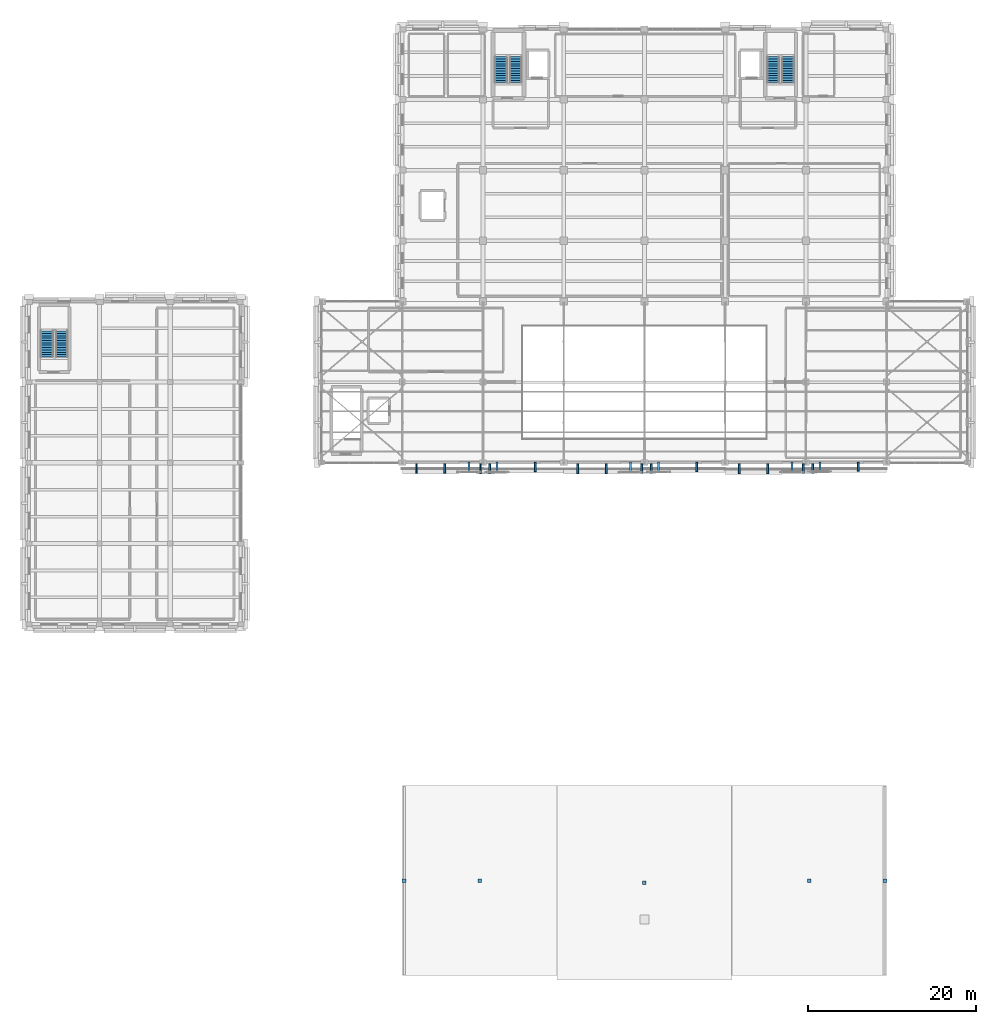
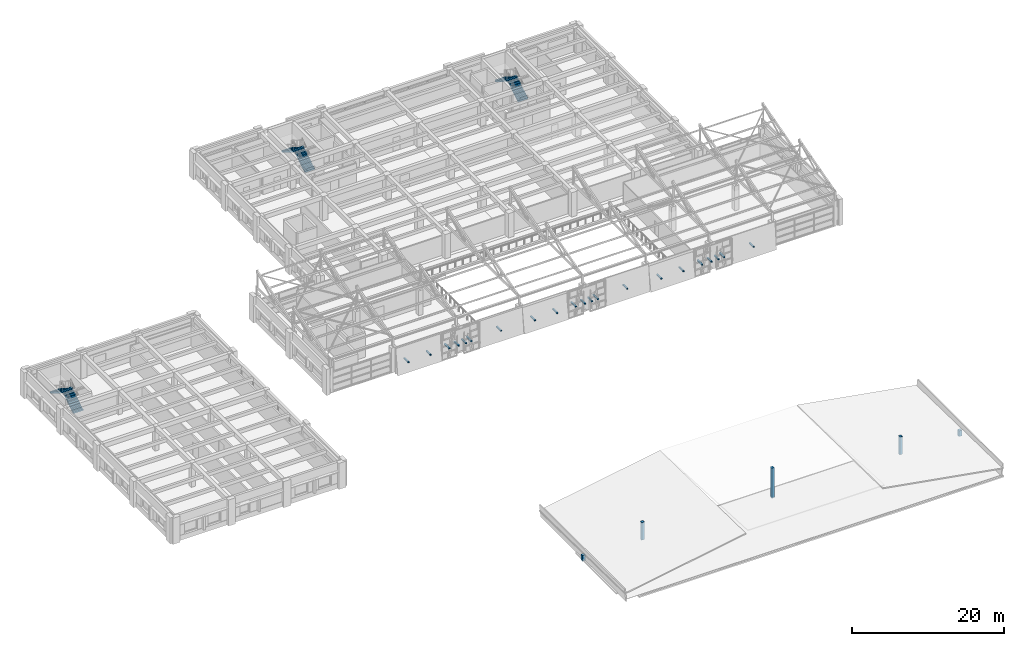
# One storey, part 51 of 58: 26 discrete accessories, 6 stair flights, 3 elements without a shape of their own.
"""IFC4 building model written with IfcOpenShell, lengths in metres."""

from ifc_helpers import new_model, si_unit, direction, frame, origin, origin_2d, place, context, subcontext, project, spatial, polyline, rectangle, outline, extrude, material, layer, layer_set, type_object, element, aggregate, save


model = new_model("IFC4")

# Units and contexts
model_context = context("Model", 3, precision=1e-05, world=origin(), true_north=direction((0.0, 1.0)))
body_context = subcontext(model_context, "Body", "Model", "MODEL_VIEW")
ifc_project = project(units=[si_unit("LENGTHUNIT", "METRE"), si_unit("AREAUNIT", "SQUARE_METRE"), si_unit("VOLUMEUNIT", "CUBIC_METRE"), si_unit("PLANEANGLEUNIT", "RADIAN"), si_unit("MASSUNIT", "GRAM", prefix="KILO")], contexts=[model_context])

# Site, building, storey
site_placement = place(None, origin())
site = spatial("IfcSite", under=ifc_project, at=site_placement, CompositionType="ELEMENT")
building_placement = place(site_placement, origin())
building = spatial("IfcBuilding", under=site, at=building_placement, Name="Bempovik Park Faculty of Sciences", CompositionType="ELEMENT")
storey_placement = place(building_placement, frame((0.0, 0.0, 18.300048828125)))
storey = spatial("IfcBuildingStorey", under=building, at=storey_placement, Name="L04", CompositionType="ELEMENT", Elevation=18.300048828125)

# Stair, stair flights
ifc_material_1 = material(Name="Concrete C35/45", Category="concrete")
stair_type = type_object("IfcStairType", Name="ST-16 Stair W1500 H4200", PredefinedType="HALF_TURN_STAIR", material=ifc_material_1)
stair_1_placement = place(storey_placement, origin())
stair_1 = element("IfcStair", 1, at=stair_1_placement, inside=storey, type_object=stair_type, Name="L04 ST-1 Dog-Leg Exit Stair", PredefinedType="HALF_TURN_STAIR")
stair_flight_type = type_object("IfcStairFlightType", Name="FL-13 Flight W1500 H4200", PredefinedType="STRAIGHT", material=ifc_material_1)
stair_flight_1_placement = place(storey_placement, frame((73.5, 113.0, 0.0), z_axis=(0.0, 0.0, 1.0), x_axis=(0.0, 1.0, 0.0)))
stair_flight_1 = element("IfcStairFlight", 2, at=stair_flight_1_placement, type_object=stair_flight_type, Name="ST-16 flight 1", NumberOfRisers=12, NumberOfTreads=11, PredefinedType="STRAIGHT", RiserHeight=0.175, TreadLength=0.28125, context=body_context, shape_type="SweptSolid", body=[
    extrude(outline(polyline([(0.0, 0.0), (0.0, 0.175048828125), (0.28125, 0.175048828125), (0.28125, 0.35009765625), (0.5625, 0.35009765625), (0.5625, 0.52490234375), (0.84375, 0.52490234375), (0.84375, 0.699951171875), (1.125, 0.699951171875), (1.125, 0.875), (1.40625, 0.875), (1.40625, 1.050048828125), (1.6875, 1.050048828125), (1.6875, 1.22509765625), (1.96875, 1.22509765625), (1.96875, 1.39990234375), (2.25, 1.39990234375), (2.25, 1.574951171875), (2.53125, 1.574951171875), (2.53125, 1.75), (2.8125, 1.75), (2.8125, 1.925048828125), (3.09375, 1.925048828125), (3.09375, 2.10009765625), (3.09375, 1.74853515625), (0.28369140625, 0.0), (0.0625, -0.0625), (0.0, -0.0625), (0.0, 0.0)])), frame((0.0, 0.75, 0.0), z_axis=(0.0, -1.0, 0.0), x_axis=(1.0, 0.0, 0.0)), (0.0, 0.0, 1.0), 1.5),
])
stair_flight_2_placement = place(storey_placement, frame((71.75, 116.09375, 2.099853515625), z_axis=(0.0, 0.0, 1.0), x_axis=(0.0, -1.0, 0.0)))
stair_flight_2 = element("IfcStairFlight", 3, at=stair_flight_2_placement, type_object=stair_flight_type, Name="ST-16 flight 2", NumberOfRisers=12, NumberOfTreads=11, PredefinedType="STRAIGHT", RiserHeight=0.175, TreadLength=0.28125, context=body_context, shape_type="SweptSolid", body=[
    extrude(outline(polyline([(0.0, 0.0), (0.0, 0.175048828125), (0.28125, 0.175048828125), (0.28125, 0.35009765625), (0.5625, 0.35009765625), (0.5625, 0.52490234375), (0.84375, 0.52490234375), (0.84375, 0.699951171875), (1.125, 0.699951171875), (1.125, 0.875), (1.40625, 0.875), (1.40625, 1.050048828125), (1.6875, 1.050048828125), (1.6875, 1.22509765625), (1.96875, 1.22509765625), (1.96875, 1.39990234375), (2.25, 1.39990234375), (2.25, 1.574951171875), (2.53125, 1.574951171875), (2.53125, 1.75), (2.8125, 1.75), (2.8125, 1.925048828125), (3.09375, 1.925048828125), (3.09375, 2.10009765625), (3.09375, 1.74853515625), (0.28369140625, 0.0), (0.0625, -0.0625), (0.0, -0.0625), (0.0, 0.0)])), frame((0.0, 0.75, 0.0), z_axis=(0.0, -1.0, 0.0), x_axis=(1.0, 0.0, 0.0)), (0.0, 0.0, 1.0), 1.5),
])
aggregate(stair_1, [stair_flight_1, stair_flight_2])

stair_2_placement = place(storey_placement, origin())
stair_2 = element("IfcStair", 4, at=stair_2_placement, inside=storey, type_object=stair_type, Name="L04 ST-2 Dog-Leg Exit Stair", PredefinedType="HALF_TURN_STAIR")
stair_flight_3_placement = place(storey_placement, frame((105.875, 113.0, 0.0), z_axis=(0.0, 0.0, 1.0), x_axis=(0.0, 1.0, 0.0)))
stair_flight_3 = element("IfcStairFlight", 5, at=stair_flight_3_placement, type_object=stair_flight_type, Name="ST-16 flight 1", NumberOfRisers=12, NumberOfTreads=11, PredefinedType="STRAIGHT", RiserHeight=0.175, TreadLength=0.28125, context=body_context, shape_type="SweptSolid", body=[
    extrude(outline(polyline([(0.0, 0.0), (0.0, 0.175048828125), (0.28125, 0.175048828125), (0.28125, 0.35009765625), (0.5625, 0.35009765625), (0.5625, 0.52490234375), (0.84375, 0.52490234375), (0.84375, 0.699951171875), (1.125, 0.699951171875), (1.125, 0.875), (1.40625, 0.875), (1.40625, 1.050048828125), (1.6875, 1.050048828125), (1.6875, 1.22509765625), (1.96875, 1.22509765625), (1.96875, 1.39990234375), (2.25, 1.39990234375), (2.25, 1.574951171875), (2.53125, 1.574951171875), (2.53125, 1.75), (2.8125, 1.75), (2.8125, 1.925048828125), (3.09375, 1.925048828125), (3.09375, 2.10009765625), (3.09375, 1.74853515625), (0.28369140625, 0.0), (0.0625, -0.0625), (0.0, -0.0625), (0.0, 0.0)])), frame((0.0, 0.75, 0.0), z_axis=(0.0, -1.0, 0.0), x_axis=(1.0, 0.0, 0.0)), (0.0, 0.0, 1.0), 1.5),
])
stair_flight_4_placement = place(storey_placement, frame((104.125, 116.09375, 2.099853515625), z_axis=(0.0, 0.0, 1.0), x_axis=(0.0, -1.0, 0.0)))
stair_flight_4 = element("IfcStairFlight", 6, at=stair_flight_4_placement, type_object=stair_flight_type, Name="ST-16 flight 2", NumberOfRisers=12, NumberOfTreads=11, PredefinedType="STRAIGHT", RiserHeight=0.175, TreadLength=0.28125, context=body_context, shape_type="SweptSolid", body=[
    extrude(outline(polyline([(0.0, 0.0), (0.0, 0.175048828125), (0.28125, 0.175048828125), (0.28125, 0.35009765625), (0.5625, 0.35009765625), (0.5625, 0.52490234375), (0.84375, 0.52490234375), (0.84375, 0.699951171875), (1.125, 0.699951171875), (1.125, 0.875), (1.40625, 0.875), (1.40625, 1.050048828125), (1.6875, 1.050048828125), (1.6875, 1.22509765625), (1.96875, 1.22509765625), (1.96875, 1.39990234375), (2.25, 1.39990234375), (2.25, 1.574951171875), (2.53125, 1.574951171875), (2.53125, 1.75), (2.8125, 1.75), (2.8125, 1.925048828125), (3.09375, 1.925048828125), (3.09375, 2.10009765625), (3.09375, 1.74853515625), (0.28369140625, 0.0), (0.0625, -0.0625), (0.0, -0.0625), (0.0, 0.0)])), frame((0.0, 0.75, 0.0), z_axis=(0.0, -1.0, 0.0), x_axis=(1.0, 0.0, 0.0)), (0.0, 0.0, 1.0), 1.5),
])
aggregate(stair_2, [stair_flight_3, stair_flight_4])

stair_3_placement = place(storey_placement, origin())
stair_3 = element("IfcStair", 7, at=stair_3_placement, inside=storey, type_object=stair_type, Name="L04 ST-3 Dog-Leg Exit Stair", PredefinedType="HALF_TURN_STAIR")
stair_flight_5_placement = place(storey_placement, frame((19.5, 80.375, 0.0), z_axis=(0.0, 0.0, 1.0), x_axis=(0.0, 1.0, 0.0)))
stair_flight_5 = element("IfcStairFlight", 8, at=stair_flight_5_placement, type_object=stair_flight_type, Name="ST-16 flight 1", NumberOfRisers=12, NumberOfTreads=11, PredefinedType="STRAIGHT", RiserHeight=0.175, TreadLength=0.28125, context=body_context, shape_type="SweptSolid", body=[
    extrude(outline(polyline([(0.0, 0.0), (0.0, 0.175048828125), (0.28125, 0.175048828125), (0.28125, 0.35009765625), (0.5625, 0.35009765625), (0.5625, 0.52490234375), (0.84375, 0.52490234375), (0.84375, 0.699951171875), (1.125, 0.699951171875), (1.125, 0.875), (1.40625, 0.875), (1.40625, 1.050048828125), (1.6875, 1.050048828125), (1.6875, 1.22509765625), (1.96875, 1.22509765625), (1.96875, 1.39990234375), (2.25, 1.39990234375), (2.25, 1.574951171875), (2.53125, 1.574951171875), (2.53125, 1.75), (2.8125, 1.75), (2.8125, 1.925048828125), (3.09375, 1.925048828125), (3.09375, 2.10009765625), (3.09375, 1.74853515625), (0.28369140625, 0.0), (0.0625, -0.0625), (0.0, -0.0625), (0.0, 0.0)])), frame((0.0, 0.75, 0.0), z_axis=(0.0, -1.0, 0.0), x_axis=(1.0, 0.0, 0.0)), (0.0, 0.0, 1.0), 1.5),
])
stair_flight_6_placement = place(storey_placement, frame((17.75, 83.46875, 2.099853515625), z_axis=(0.0, 0.0, 1.0), x_axis=(0.0, -1.0, 0.0)))
stair_flight_6 = element("IfcStairFlight", 9, at=stair_flight_6_placement, type_object=stair_flight_type, Name="ST-16 flight 2", NumberOfRisers=12, NumberOfTreads=11, PredefinedType="STRAIGHT", RiserHeight=0.175, TreadLength=0.28125, context=body_context, shape_type="SweptSolid", body=[
    extrude(outline(polyline([(0.0, 0.0), (0.0, 0.175048828125), (0.28125, 0.175048828125), (0.28125, 0.35009765625), (0.5625, 0.35009765625), (0.5625, 0.52490234375), (0.84375, 0.52490234375), (0.84375, 0.699951171875), (1.125, 0.699951171875), (1.125, 0.875), (1.40625, 0.875), (1.40625, 1.050048828125), (1.6875, 1.050048828125), (1.6875, 1.22509765625), (1.96875, 1.22509765625), (1.96875, 1.39990234375), (2.25, 1.39990234375), (2.25, 1.574951171875), (2.53125, 1.574951171875), (2.53125, 1.75), (2.8125, 1.75), (2.8125, 1.925048828125), (3.09375, 1.925048828125), (3.09375, 2.10009765625), (3.09375, 1.74853515625), (0.28369140625, 0.0), (0.0625, -0.0625), (0.0, -0.0625), (0.0, 0.0)])), frame((0.0, 0.75, 0.0), z_axis=(0.0, -1.0, 0.0), x_axis=(1.0, 0.0, 0.0)), (0.0, 0.0, 1.0), 1.5),
])
aggregate(stair_3, [stair_flight_5, stair_flight_6])

# Discrete accessories
ifc_material_2 = material(Name="Steel S355", Category="steel")
ifc_layer = layer(ifc_material_2, 0.14990234375)
ifc_layer_set = layer_set([ifc_layer], Name="Steel S355")
discrete_accessory_type = type_object("IfcDiscreteAccessoryType", Name="BK-01 Facade Support Bracket", PredefinedType="BRACKET", material=ifc_layer_set)
for number, where, z_axis, x_axis, name in (
    (10, (61.685791015625, 67.118408203125, 1.4501953125), (0.0, 0.0, 1.0), (1.0, 0.0, 0.0), "Crystal Cladding Support Bracket FAC-CRYS-L04-678-600-BK1"),
    (11, (65.05712890625, 67.118408203125, 1.4501953125), (0.0, 0.0, 1.0), (1.0, 0.0, 0.0), "Crystal Cladding Support Bracket FAC-CRYS-L04-678-600-BK2"),
):
    element("IfcDiscreteAccessory", number, at=place(storey_placement, frame(where, z_axis=z_axis, x_axis=x_axis)), inside=storey, type_object=discrete_accessory_type, Name=name, PredefinedType="BRACKET", context=body_context, shape_type="SweptSolid", body=[
        extrude(rectangle(XDim=0.219970703125, YDim=1.1630859375, at=origin_2d()), origin(), (0.0, 0.0, 1.0), 0.179931640625),
    ])
discrete_accessory_1_placement = place(storey_placement, frame((67.923095703125, 67.24853515625, 1.4501953125), z_axis=(0.0, 0.0, 1.0), x_axis=(1.0, 0.0, 0.0)))
element("IfcDiscreteAccessory", 12, at=discrete_accessory_1_placement, inside=storey, type_object=discrete_accessory_type, Name="Crystal Fold Tie Bracket FAC-CRYS-L04-678-600-BKF", PredefinedType="BRACKET", context=body_context, shape_type="SweptSolid", body=[
    extrude(rectangle(XDim=0.239990234375, YDim=1.262939453125, at=origin_2d()), origin(), (0.0, 0.0, 1.0), 0.179931640625),
])
discrete_accessory_2_placement = place(storey_placement, frame((75.82861328125, 67.31103515625, 1.4501953125), z_axis=(0.0, 0.0, 1.0), x_axis=(1.0, 0.0, 0.0)))
element("IfcDiscreteAccessory", 13, at=discrete_accessory_2_placement, inside=storey, type_object=discrete_accessory_type, Name="Crystal Cladding Support Bracket FAC-CRYS-L04-678-696-BKR", PredefinedType="BRACKET", context=body_context, shape_type="SweptSolid", body=[
    extrude(rectangle(XDim=0.219970703125, YDim=1.15771484375, at=origin_2d()), origin(), (0.0, 0.0, 1.0), 0.179931640625),
])
for number, where, z_axis, x_axis, name in (
    (14, (69.298583984375, 67.111083984375, 1.4501953125), (0.0, 0.0, 1.0), (1.0, 0.0, 0.0), "Crystal Cladding Support Bracket FAC-CRYS-L04-678-696-BK1"),
    (15, (70.3984375, 67.111083984375, 1.4501953125), (0.0, 0.0, 1.0), (1.0, 0.0, 0.0), "Crystal Cladding Support Bracket FAC-CRYS-L04-678-696-BK2"),
):
    element("IfcDiscreteAccessory", number, at=place(storey_placement, frame(where, z_axis=z_axis, x_axis=x_axis)), inside=storey, type_object=discrete_accessory_type, Name=name, PredefinedType="BRACKET", context=body_context, shape_type="SweptSolid", body=[
        extrude(rectangle(XDim=0.219970703125, YDim=1.177734375, at=origin_2d()), origin(), (0.0, 0.0, 1.0), 0.179931640625),
    ])
discrete_accessory_3_placement = place(storey_placement, frame((71.277099609375, 67.2412109375, 1.4501953125), z_axis=(0.0, 0.0, 1.0), x_axis=(1.0, 0.0, 0.0)))
element("IfcDiscreteAccessory", 16, at=discrete_accessory_3_placement, inside=storey, type_object=discrete_accessory_type, Name="Crystal Fold Tie Bracket FAC-CRYS-L04-678-696-BKF", PredefinedType="BRACKET", context=body_context, shape_type="SweptSolid", body=[
    extrude(rectangle(XDim=0.239990234375, YDim=1.27783203125, at=origin_2d()), origin(), (0.0, 0.0, 1.0), 0.179931640625),
])
for number, where, z_axis, x_axis, name in (
    (17, (80.8857421875, 67.107421875, 1.4501953125), (0.0, 0.0, 1.0), (1.0, 0.0, 0.0), "Crystal Cladding Support Bracket FAC-CRYS-L04-678-792-BK1"),
    (18, (84.257080078125, 67.107421875, 1.4501953125), (0.0, 0.0, 1.0), (1.0, 0.0, 0.0), "Crystal Cladding Support Bracket FAC-CRYS-L04-678-792-BK2"),
):
    element("IfcDiscreteAccessory", number, at=place(storey_placement, frame(where, z_axis=z_axis, x_axis=x_axis)), inside=storey, type_object=discrete_accessory_type, Name=name, PredefinedType="BRACKET", context=body_context, shape_type="SweptSolid", body=[
        extrude(rectangle(XDim=0.219970703125, YDim=1.185302734375, at=origin_2d()), origin(), (0.0, 0.0, 1.0), 0.179931640625),
    ])
discrete_accessory_4_placement = place(storey_placement, frame((87.123046875, 67.2373046875, 1.4501953125), z_axis=(0.0, 0.0, 1.0), x_axis=(1.0, 0.0, 0.0)))
element("IfcDiscreteAccessory", 19, at=discrete_accessory_4_placement, inside=storey, type_object=discrete_accessory_type, Name="Crystal Fold Tie Bracket FAC-CRYS-L04-678-792-BKF", PredefinedType="BRACKET", context=body_context, shape_type="SweptSolid", body=[
    extrude(rectangle(XDim=0.239990234375, YDim=1.28515625, at=origin_2d()), origin(), (0.0, 0.0, 1.0), 0.179931640625),
])
discrete_accessory_5_placement = place(storey_placement, frame((95.028564453125, 67.322265625, 1.4501953125), z_axis=(0.0, 0.0, 1.0), x_axis=(1.0, 0.0, 0.0)))
element("IfcDiscreteAccessory", 20, at=discrete_accessory_5_placement, inside=storey, type_object=discrete_accessory_type, Name="Crystal Cladding Support Bracket FAC-CRYS-L04-678-888-BKR", PredefinedType="BRACKET", context=body_context, shape_type="SweptSolid", body=[
    extrude(rectangle(XDim=0.219970703125, YDim=1.135498046875, at=origin_2d()), origin(), (0.0, 0.0, 1.0), 0.179931640625),
])
for number, where, z_axis, x_axis, name in (
    (21, (88.49853515625, 67.122314453125, 1.4501953125), (0.0, 0.0, 1.0), (1.0, 0.0, 0.0), "Crystal Cladding Support Bracket FAC-CRYS-L04-678-888-BK1"),
    (22, (89.598388671875, 67.122314453125, 1.4501953125), (0.0, 0.0, 1.0), (1.0, 0.0, 0.0), "Crystal Cladding Support Bracket FAC-CRYS-L04-678-888-BK2"),
):
    element("IfcDiscreteAccessory", number, at=place(storey_placement, frame(where, z_axis=z_axis, x_axis=x_axis)), inside=storey, type_object=discrete_accessory_type, Name=name, PredefinedType="BRACKET", context=body_context, shape_type="SweptSolid", body=[
        extrude(rectangle(XDim=0.219970703125, YDim=1.155517578125, at=origin_2d()), origin(), (0.0, 0.0, 1.0), 0.179931640625),
    ])
discrete_accessory_6_placement = place(storey_placement, frame((90.47705078125, 67.252197265625, 1.4501953125), z_axis=(0.0, 0.0, 1.0), x_axis=(1.0, 0.0, 0.0)))
element("IfcDiscreteAccessory", 23, at=discrete_accessory_6_placement, inside=storey, type_object=discrete_accessory_type, Name="Crystal Fold Tie Bracket FAC-CRYS-L04-678-888-BKF", PredefinedType="BRACKET", context=body_context, shape_type="SweptSolid", body=[
    extrude(rectangle(XDim=0.239990234375, YDim=1.255615234375, at=origin_2d()), origin(), (0.0, 0.0, 1.0), 0.179931640625),
])
for number, where, z_axis, x_axis, name in (
    (24, (100.085693359375, 67.103759765625, 1.4501953125), (0.0, 0.0, 1.0), (1.0, 0.0, 0.0), "Crystal Cladding Support Bracket FAC-CRYS-L04-678-984-BK1"),
    (25, (103.457275390625, 67.103759765625, 1.4501953125), (0.0, 0.0, 1.0), (1.0, 0.0, 0.0), "Crystal Cladding Support Bracket FAC-CRYS-L04-678-984-BK2"),
):
    element("IfcDiscreteAccessory", number, at=place(storey_placement, frame(where, z_axis=z_axis, x_axis=x_axis)), inside=storey, type_object=discrete_accessory_type, Name=name, PredefinedType="BRACKET", context=body_context, shape_type="SweptSolid", body=[
        extrude(rectangle(XDim=0.219970703125, YDim=1.192626953125, at=origin_2d()), origin(), (0.0, 0.0, 1.0), 0.179931640625),
    ])
discrete_accessory_7_placement = place(storey_placement, frame((106.322998046875, 67.233642578125, 1.4501953125), z_axis=(0.0, 0.0, 1.0), x_axis=(1.0, 0.0, 0.0)))
element("IfcDiscreteAccessory", 26, at=discrete_accessory_7_placement, inside=storey, type_object=discrete_accessory_type, Name="Crystal Fold Tie Bracket FAC-CRYS-L04-678-984-BKF", PredefinedType="BRACKET", context=body_context, shape_type="SweptSolid", body=[
    extrude(rectangle(XDim=0.239990234375, YDim=1.29248046875, at=origin_2d()), origin(), (0.0, 0.0, 1.0), 0.179931640625),
])
discrete_accessory_8_placement = place(storey_placement, frame((114.228515625, 67.333251953125, 1.4501953125), z_axis=(0.0, 0.0, 1.0), x_axis=(1.0, 0.0, 0.0)))
element("IfcDiscreteAccessory", 27, at=discrete_accessory_8_placement, inside=storey, type_object=discrete_accessory_type, Name="Crystal Cladding Support Bracket FAC-CRYS-L04-678-1080-BKR", PredefinedType="BRACKET", context=body_context, shape_type="SweptSolid", body=[
    extrude(rectangle(XDim=0.219970703125, YDim=1.11328125, at=origin_2d()), origin(), (0.0, 0.0, 1.0), 0.179931640625),
])
for number, where, z_axis, x_axis, name in (
    (28, (107.698486328125, 67.13330078125, 1.4501953125), (0.0, 0.0, 1.0), (1.0, 0.0, 0.0), "Crystal Cladding Support Bracket FAC-CRYS-L04-678-1080-BK1"),
    (29, (108.798583984375, 67.13330078125, 1.4501953125), (0.0, 0.0, 1.0), (1.0, 0.0, 0.0), "Crystal Cladding Support Bracket FAC-CRYS-L04-678-1080-BK2"),
):
    element("IfcDiscreteAccessory", number, at=place(storey_placement, frame(where, z_axis=z_axis, x_axis=x_axis)), inside=storey, type_object=discrete_accessory_type, Name=name, PredefinedType="BRACKET", context=body_context, shape_type="SweptSolid", body=[
        extrude(rectangle(XDim=0.219970703125, YDim=1.13330078125, at=origin_2d()), origin(), (0.0, 0.0, 1.0), 0.179931640625),
    ])
discrete_accessory_9_placement = place(storey_placement, frame((109.677001953125, 67.26318359375, 1.4501953125), z_axis=(0.0, 0.0, 1.0), x_axis=(1.0, 0.0, 0.0)))
element("IfcDiscreteAccessory", 30, at=discrete_accessory_9_placement, inside=storey, type_object=discrete_accessory_type, Name="Crystal Fold Tie Bracket FAC-CRYS-L04-678-1080-BKF", PredefinedType="BRACKET", context=body_context, shape_type="SweptSolid", body=[
    extrude(rectangle(XDim=0.239990234375, YDim=1.2333984375, at=origin_2d()), origin(), (0.0, 0.0, 1.0), 0.179931640625),
])
discrete_accessory_10_placement = place(storey_placement, frame((69.199951171875, 18.10009765625, -0.10009765625), z_axis=(0.0, 0.0, 1.0), x_axis=(1.0, 0.0, 0.0)))
element("IfcDiscreteAccessory", 31, at=discrete_accessory_10_placement, inside=storey, type_object=discrete_accessory_type, Name="Learning Commons Crystal Roof Strut LC-FAC-SW-BK", PredefinedType="BRACKET", context=body_context, shape_type="SweptSolid", body=[
    extrude(rectangle(XDim=0.39990234375, YDim=0.39990234375, at=origin_2d()), origin(), (0.0, 0.0, 1.0), 2.85009765625),
])
discrete_accessory_11_placement = place(storey_placement, frame((88.800048828125, 17.85009765625, -0.10009765625), z_axis=(0.0, 0.0, 1.0), x_axis=(1.0, 0.0, 0.0)))
element("IfcDiscreteAccessory", 32, at=discrete_accessory_11_placement, inside=storey, type_object=discrete_accessory_type, Name="Learning Commons Crystal Roof Strut LC-FAC-SC-BK", PredefinedType="BRACKET", context=body_context, shape_type="SweptSolid", body=[
    extrude(rectangle(XDim=0.39990234375, YDim=0.39990234375, at=origin_2d()), origin(), (0.0, 0.0, 1.0), 4.85009765625),
])
discrete_accessory_12_placement = place(storey_placement, frame((108.39990234375, 18.10009765625, -0.10009765625), z_axis=(0.0, 0.0, 1.0), x_axis=(1.0, 0.0, 0.0)))
element("IfcDiscreteAccessory", 33, at=discrete_accessory_12_placement, inside=storey, type_object=discrete_accessory_type, Name="Learning Commons Crystal Roof Strut LC-FAC-SE-BK", PredefinedType="BRACKET", context=body_context, shape_type="SweptSolid", body=[
    extrude(rectangle(XDim=0.39990234375, YDim=0.39990234375, at=origin_2d()), origin(), (0.0, 0.0, 1.0), 2.85009765625),
])
for number, where, z_axis, x_axis, name in (
    (34, (60.199951171875, 18.10009765625, -0.300048828125), (0.0, 0.0, 1.0), (1.0, 0.0, 0.0), "Learning Commons Side Clerestory Bracket LC-CRYS-W-BK"),
    (35, (117.39990234375, 18.10009765625, -0.300048828125), (0.0, 0.0, 1.0), (1.0, 0.0, 0.0), "Learning Commons Side Clerestory Bracket LC-CRYS-E-BK"),
):
    element("IfcDiscreteAccessory", number, at=place(storey_placement, frame(where, z_axis=z_axis, x_axis=x_axis)), inside=storey, type_object=discrete_accessory_type, Name=name, PredefinedType="BRACKET", context=body_context, shape_type="SweptSolid", body=[
        extrude(rectangle(XDim=0.449951171875, YDim=0.449951171875, at=origin_2d()), origin(), (0.0, 0.0, 1.0), 0.89990234375),
    ])

save(model, "model.ifc")
